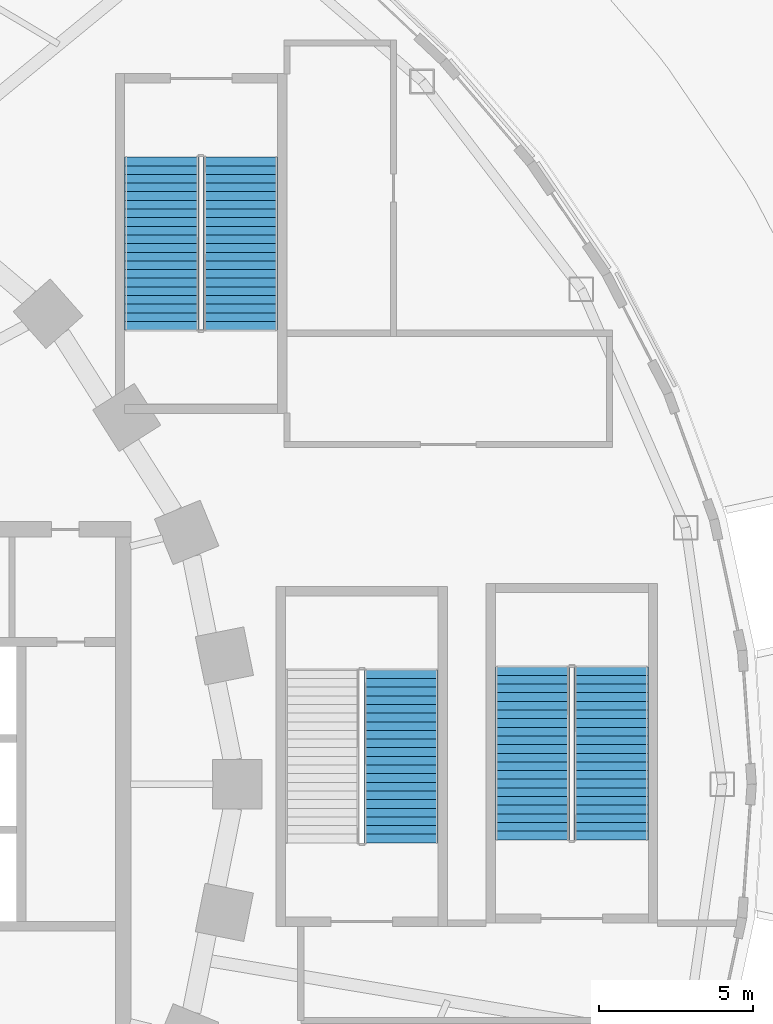
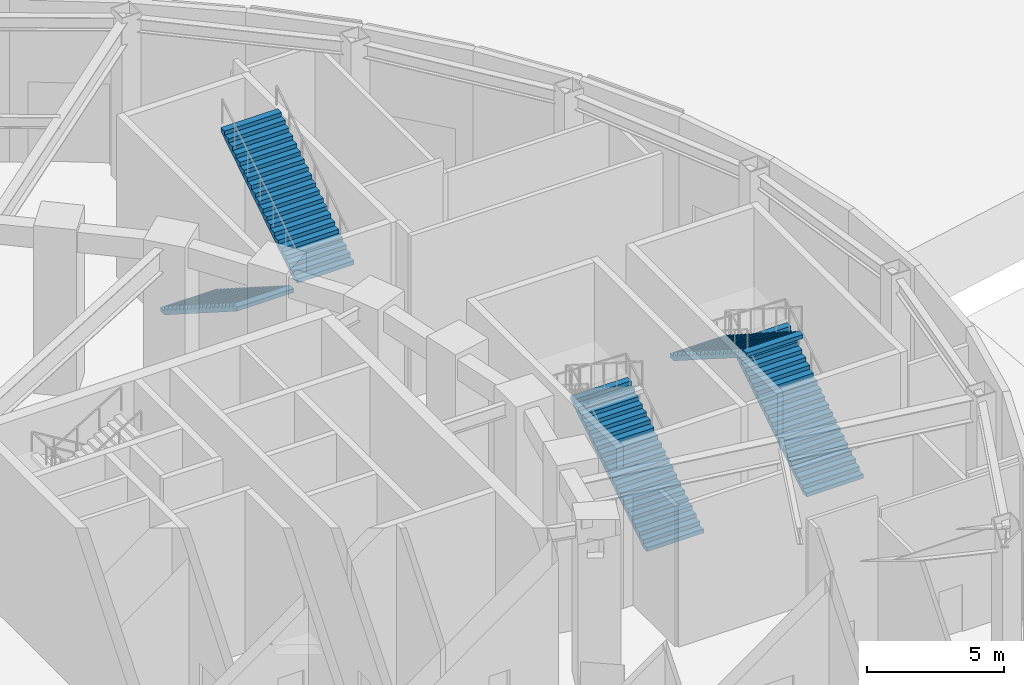
# One storey, part 52 of 79: 5 stair flights, 3 elements without a shape of their own.
"""IFC4 building model written with IfcOpenShell, lengths in metres."""

from ifc_helpers import new_model, si_unit, direction, frame, origin, place, context, subcontext, project, spatial, polyline, outline, extrude, material, type_object, element, aggregate, save


model = new_model("IFC4")

# Units and contexts
model_context = context("Model", 3, precision=1e-05, world=origin(), true_north=direction((0.0, 1.0)))
body_context = subcontext(model_context, "Body", "Model", "MODEL_VIEW")
ifc_project = project(units=[si_unit("LENGTHUNIT", "METRE"), si_unit("AREAUNIT", "SQUARE_METRE"), si_unit("VOLUMEUNIT", "CUBIC_METRE"), si_unit("PLANEANGLEUNIT", "RADIAN"), si_unit("MASSUNIT", "GRAM", prefix="KILO")], contexts=[model_context])

# Site, building, storey
site_placement = place(None, origin())
site = spatial("IfcSite", under=ifc_project, at=site_placement, CompositionType="ELEMENT")
building_placement = place(site_placement, origin())
building = spatial("IfcBuilding", under=site, at=building_placement, Name="Noorbagh Ring Tower", CompositionType="ELEMENT")
storey_placement = place(building_placement, origin())
storey = spatial("IfcBuildingStorey", under=building, at=storey_placement, Name="L00", CompositionType="ELEMENT", Elevation=0.0)

# Stair, stair flight
ifc_material_1 = material(Name="Concrete C40/50", Category="concrete")
stair_type = type_object("IfcStairType", Name="GND-STAIR", PredefinedType="HALF_TURN_STAIR", material=ifc_material_1)
stair_1_placement = place(storey_placement, origin())
stair_1 = element("IfcStair", 1, at=stair_1_placement, inside=storey, type_object=stair_type, Name="L00 exit stair ST-P2", PredefinedType="HALF_TURN_STAIR")
ifc_material_2 = material(Name="Concrete C40/50", Category="concrete")
stair_flight_type = type_object("IfcStairFlightType", Name="GND-STAIR-FLIGHT", PredefinedType="STRAIGHT", material=ifc_material_2)
stair_flight_1_placement = place(storey_placement, frame((40.25, -1.89990234375, 0.0), z_axis=(0.0, 0.0, 1.0), x_axis=(0.0, 1.0, 0.0)))
stair_flight_1 = element("IfcStairFlight", 2, at=stair_flight_1_placement, type_object=stair_flight_type, Name="ST-P2 flight 1", NumberOfRisers=21, NumberOfTreads=20, PredefinedType="STRAIGHT", RiserHeight=0.178571429, TreadLength=0.28, context=body_context, shape_type="SweptSolid", body=[
    extrude(outline(polyline([(0.0, 0.0), (0.0, 0.178466796875), (0.280029296875, 0.178466796875), (0.280029296875, 0.357177734375), (0.56005859375, 0.357177734375), (0.56005859375, 0.53564453125), (0.840087890625, 0.53564453125), (0.840087890625, 0.71435546875), (1.1201171875, 0.71435546875), (1.1201171875, 0.892822265625), (1.39990234375, 0.892822265625), (1.39990234375, 1.071533203125), (1.679931640625, 1.071533203125), (1.679931640625, 1.25), (1.9599609375, 1.25), (1.9599609375, 1.428466796875), (2.239990234375, 1.428466796875), (2.239990234375, 1.607177734375), (2.52001953125, 1.607177734375), (2.52001953125, 1.78564453125), (2.800048828125, 1.78564453125), (2.800048828125, 1.96435546875), (3.080078125, 1.96435546875), (3.080078125, 2.142822265625), (3.360107421875, 2.142822265625), (3.360107421875, 2.321533203125), (3.639892578125, 2.321533203125), (3.639892578125, 2.5), (3.919921875, 2.5), (3.919921875, 2.678466796875), (4.199951171875, 2.678466796875), (4.199951171875, 2.857177734375), (4.47998046875, 2.857177734375), (4.47998046875, 3.03564453125), (4.760009765625, 3.03564453125), (4.760009765625, 3.21435546875), (5.0400390625, 3.21435546875), (5.0400390625, 3.392822265625), (5.320068359375, 3.392822265625), (5.320068359375, 3.571533203125), (5.60009765625, 3.571533203125), (5.60009765625, 3.75), (5.60009765625, 3.3935546875), (0.27880859375, 0.0), (0.0, 0.0)])), frame((0.0, 1.199951171875, 0.0), z_axis=(0.0, -1.0, 0.0), x_axis=(1.0, 0.0, 0.0)), (0.0, 0.0, 1.0), 2.39990234375),
])
aggregate(stair_1, [stair_flight_1])

# Stair, stair flights
stair_2_placement = place(storey_placement, origin())
stair_2 = element("IfcStair", 3, at=stair_2_placement, inside=storey, type_object=stair_type, Name="L00 exit stair ST-P4", PredefinedType="HALF_TURN_STAIR")
stair_flight_2_placement = place(storey_placement, frame((47.050048828125, -1.800048828125, 0.0), z_axis=(0.0, 0.0, 1.0), x_axis=(0.0, 1.0, 0.0)))
stair_flight_2 = element("IfcStairFlight", 4, at=stair_flight_2_placement, type_object=stair_flight_type, Name="ST-P4 flight 1", NumberOfRisers=21, NumberOfTreads=20, PredefinedType="STRAIGHT", RiserHeight=0.178571429, TreadLength=0.28, context=body_context, shape_type="SweptSolid", body=[
    extrude(outline(polyline([(0.0, 0.0), (0.0, 0.178466796875), (0.280029296875, 0.178466796875), (0.280029296875, 0.357177734375), (0.56005859375, 0.357177734375), (0.56005859375, 0.53564453125), (0.840087890625, 0.53564453125), (0.840087890625, 0.71435546875), (1.1201171875, 0.71435546875), (1.1201171875, 0.892822265625), (1.39990234375, 0.892822265625), (1.39990234375, 1.071533203125), (1.679931640625, 1.071533203125), (1.679931640625, 1.25), (1.9599609375, 1.25), (1.9599609375, 1.428466796875), (2.239990234375, 1.428466796875), (2.239990234375, 1.607177734375), (2.52001953125, 1.607177734375), (2.52001953125, 1.78564453125), (2.800048828125, 1.78564453125), (2.800048828125, 1.96435546875), (3.080078125, 1.96435546875), (3.080078125, 2.142822265625), (3.360107421875, 2.142822265625), (3.360107421875, 2.321533203125), (3.639892578125, 2.321533203125), (3.639892578125, 2.5), (3.919921875, 2.5), (3.919921875, 2.678466796875), (4.199951171875, 2.678466796875), (4.199951171875, 2.857177734375), (4.47998046875, 2.857177734375), (4.47998046875, 3.03564453125), (4.760009765625, 3.03564453125), (4.760009765625, 3.21435546875), (5.0400390625, 3.21435546875), (5.0400390625, 3.392822265625), (5.320068359375, 3.392822265625), (5.320068359375, 3.571533203125), (5.60009765625, 3.571533203125), (5.60009765625, 3.75), (5.60009765625, 3.3935546875), (0.27880859375, 0.0), (0.0, 0.0)])), frame((0.0, 1.199951171875, 0.0), z_axis=(0.0, -1.0, 0.0), x_axis=(1.0, 0.0, 0.0)), (0.0, 0.0, 1.0), 2.39990234375),
])
stair_flight_3_placement = place(storey_placement, frame((44.5, 3.800048828125, 3.75), z_axis=(0.0, 0.0, 1.0), x_axis=(0.0, -1.0, 0.0)))
stair_flight_3 = element("IfcStairFlight", 5, at=stair_flight_3_placement, type_object=stair_flight_type, Name="ST-P4 flight 2", NumberOfRisers=21, NumberOfTreads=20, PredefinedType="STRAIGHT", RiserHeight=0.178571429, TreadLength=0.28, context=body_context, shape_type="SweptSolid", body=[
    extrude(outline(polyline([(0.0, 0.0), (0.0, 0.178466796875), (0.280029296875, 0.178466796875), (0.280029296875, 0.357177734375), (0.56005859375, 0.357177734375), (0.56005859375, 0.53564453125), (0.840087890625, 0.53564453125), (0.840087890625, 0.71435546875), (1.1201171875, 0.71435546875), (1.1201171875, 0.892822265625), (1.39990234375, 0.892822265625), (1.39990234375, 1.071533203125), (1.679931640625, 1.071533203125), (1.679931640625, 1.25), (1.9599609375, 1.25), (1.9599609375, 1.428466796875), (2.239990234375, 1.428466796875), (2.239990234375, 1.607177734375), (2.52001953125, 1.607177734375), (2.52001953125, 1.78564453125), (2.800048828125, 1.78564453125), (2.800048828125, 1.96435546875), (3.080078125, 1.96435546875), (3.080078125, 2.142822265625), (3.360107421875, 2.142822265625), (3.360107421875, 2.321533203125), (3.639892578125, 2.321533203125), (3.639892578125, 2.5), (3.919921875, 2.5), (3.919921875, 2.678466796875), (4.199951171875, 2.678466796875), (4.199951171875, 2.857177734375), (4.47998046875, 2.857177734375), (4.47998046875, 3.03564453125), (4.760009765625, 3.03564453125), (4.760009765625, 3.21435546875), (5.0400390625, 3.21435546875), (5.0400390625, 3.392822265625), (5.320068359375, 3.392822265625), (5.320068359375, 3.571533203125), (5.60009765625, 3.571533203125), (5.60009765625, 3.75), (5.60009765625, 3.3935546875), (0.27880859375, 0.0), (0.0, 0.0)])), frame((0.0, 1.199951171875, 0.0), z_axis=(0.0, -1.0, 0.0), x_axis=(1.0, 0.0, 0.0)), (0.0, 0.0, 1.0), 2.39990234375),
])
aggregate(stair_2, [stair_flight_2, stair_flight_3])

stair_3_placement = place(storey_placement, origin())
stair_3 = element("IfcStair", 6, at=stair_3_placement, inside=storey, type_object=stair_type, Name="L00 exit stair ST-P5", PredefinedType="HALF_TURN_STAIR")
stair_flight_4_placement = place(storey_placement, frame((32.5, 20.300048828125, 0.0), z_axis=(0.0, 0.0, 1.0), x_axis=(0.0, -1.0, 0.0)))
stair_flight_4 = element("IfcStairFlight", 7, at=stair_flight_4_placement, type_object=stair_flight_type, Name="ST-P5 flight 1", NumberOfRisers=21, NumberOfTreads=20, PredefinedType="STRAIGHT", RiserHeight=0.178571429, TreadLength=0.28, context=body_context, shape_type="SweptSolid", body=[
    extrude(outline(polyline([(0.0, 0.0), (0.0, 0.178466796875), (0.280029296875, 0.178466796875), (0.280029296875, 0.357177734375), (0.56005859375, 0.357177734375), (0.56005859375, 0.53564453125), (0.840087890625, 0.53564453125), (0.840087890625, 0.71435546875), (1.1201171875, 0.71435546875), (1.1201171875, 0.892822265625), (1.39990234375, 0.892822265625), (1.39990234375, 1.071533203125), (1.679931640625, 1.071533203125), (1.679931640625, 1.25), (1.9599609375, 1.25), (1.9599609375, 1.428466796875), (2.239990234375, 1.428466796875), (2.239990234375, 1.607177734375), (2.52001953125, 1.607177734375), (2.52001953125, 1.78564453125), (2.800048828125, 1.78564453125), (2.800048828125, 1.96435546875), (3.080078125, 1.96435546875), (3.080078125, 2.142822265625), (3.360107421875, 2.142822265625), (3.360107421875, 2.321533203125), (3.639892578125, 2.321533203125), (3.639892578125, 2.5), (3.919921875, 2.5), (3.919921875, 2.678466796875), (4.199951171875, 2.678466796875), (4.199951171875, 2.857177734375), (4.47998046875, 2.857177734375), (4.47998046875, 3.03564453125), (4.760009765625, 3.03564453125), (4.760009765625, 3.21435546875), (5.0400390625, 3.21435546875), (5.0400390625, 3.392822265625), (5.320068359375, 3.392822265625), (5.320068359375, 3.571533203125), (5.60009765625, 3.571533203125), (5.60009765625, 3.75), (5.60009765625, 3.3935546875), (0.27880859375, 0.0), (0.0, 0.0)])), frame((0.0, 1.199951171875, 0.0), z_axis=(0.0, -1.0, 0.0), x_axis=(1.0, 0.0, 0.0)), (0.0, 0.0, 1.0), 2.39990234375),
])
stair_flight_5_placement = place(storey_placement, frame((35.050048828125, 14.699951171875, 3.75), z_axis=(0.0, 0.0, 1.0), x_axis=(0.0, 1.0, 0.0)))
stair_flight_5 = element("IfcStairFlight", 8, at=stair_flight_5_placement, type_object=stair_flight_type, Name="ST-P5 flight 2", NumberOfRisers=21, NumberOfTreads=20, PredefinedType="STRAIGHT", RiserHeight=0.178571429, TreadLength=0.28, context=body_context, shape_type="SweptSolid", body=[
    extrude(outline(polyline([(0.0, 0.0), (0.0, 0.178466796875), (0.280029296875, 0.178466796875), (0.280029296875, 0.357177734375), (0.56005859375, 0.357177734375), (0.56005859375, 0.53564453125), (0.840087890625, 0.53564453125), (0.840087890625, 0.71435546875), (1.1201171875, 0.71435546875), (1.1201171875, 0.892822265625), (1.39990234375, 0.892822265625), (1.39990234375, 1.071533203125), (1.679931640625, 1.071533203125), (1.679931640625, 1.25), (1.9599609375, 1.25), (1.9599609375, 1.428466796875), (2.239990234375, 1.428466796875), (2.239990234375, 1.607177734375), (2.52001953125, 1.607177734375), (2.52001953125, 1.78564453125), (2.800048828125, 1.78564453125), (2.800048828125, 1.96435546875), (3.080078125, 1.96435546875), (3.080078125, 2.142822265625), (3.360107421875, 2.142822265625), (3.360107421875, 2.321533203125), (3.639892578125, 2.321533203125), (3.639892578125, 2.5), (3.919921875, 2.5), (3.919921875, 2.678466796875), (4.199951171875, 2.678466796875), (4.199951171875, 2.857177734375), (4.47998046875, 2.857177734375), (4.47998046875, 3.03564453125), (4.760009765625, 3.03564453125), (4.760009765625, 3.21435546875), (5.0400390625, 3.21435546875), (5.0400390625, 3.392822265625), (5.320068359375, 3.392822265625), (5.320068359375, 3.571533203125), (5.60009765625, 3.571533203125), (5.60009765625, 3.75), (5.60009765625, 3.3935546875), (0.27880859375, 0.0), (0.0, 0.0)])), frame((0.0, 1.199951171875, 0.0), z_axis=(0.0, -1.0, 0.0), x_axis=(1.0, 0.0, 0.0)), (0.0, 0.0, 1.0), 2.39990234375),
])
aggregate(stair_3, [stair_flight_4, stair_flight_5])

save(model, "model.ifc")
